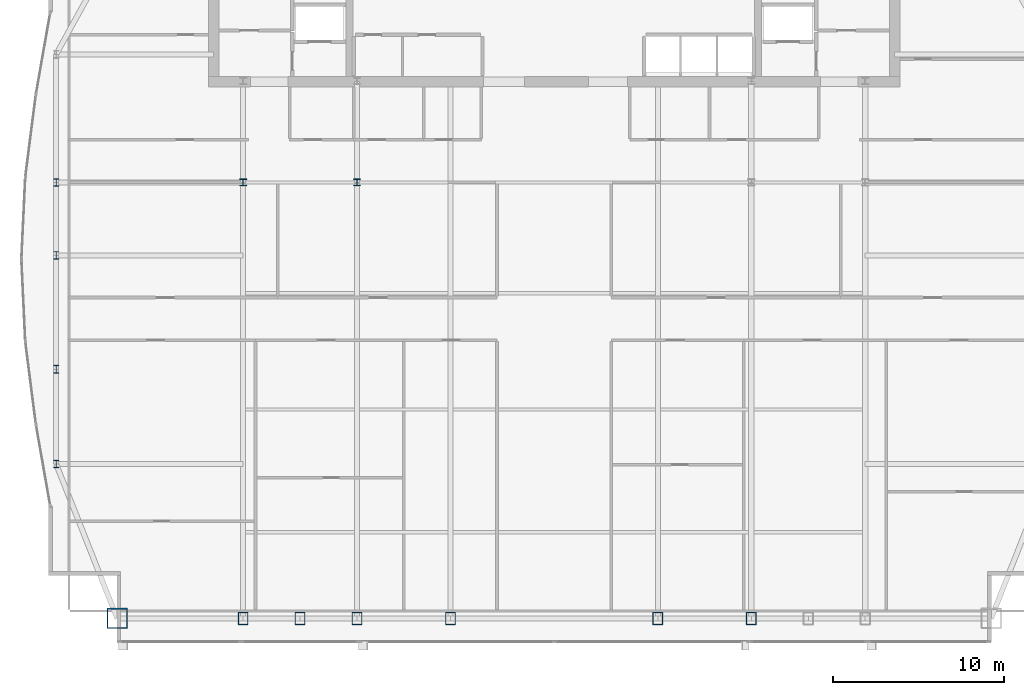
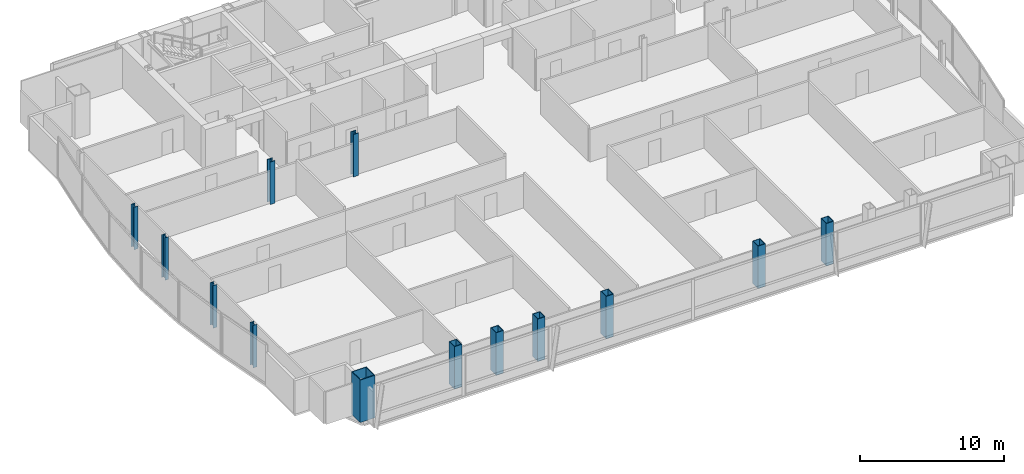
# One storey, part 1 of 30: 13 columns.
"""IFC4 building model written with IfcOpenShell, lengths in metres."""

from ifc_helpers import new_model, si_unit, direction, frame, origin, origin_2d, place, context, subcontext, project, spatial, hollow_rectangle, i_section, extrude, material, material_profile, profile_set, type_object, element, save


model = new_model("IFC4")

# Units and contexts
model_context = context("Model", 3, precision=1e-05, world=origin(), true_north=direction((0.0, 1.0)))
body_context = subcontext(model_context, "Body", "Model", "MODEL_VIEW")
ifc_project = project(units=[si_unit("LENGTHUNIT", "METRE"), si_unit("AREAUNIT", "SQUARE_METRE"), si_unit("VOLUMEUNIT", "CUBIC_METRE"), si_unit("PLANEANGLEUNIT", "RADIAN"), si_unit("MASSUNIT", "GRAM", prefix="KILO")], contexts=[model_context])

# Site, building, storey
site_placement = place(None, origin())
site = spatial("IfcSite", under=ifc_project, at=site_placement, CompositionType="ELEMENT")
building_placement = place(site_placement, origin())
building = spatial("IfcBuilding", under=site, at=building_placement, Name="Khoronbel Lancet Exchange", CompositionType="ELEMENT")
storey_placement = place(building_placement, frame((0.0, 0.0, 203.0)))
storey = spatial("IfcBuildingStorey", under=building, at=storey_placement, Name="L51", CompositionType="ELEMENT", Elevation=203.0)

# Columns
ifc_material_1 = material(Name="Steel S460", Category="steel")
ifc_material_profile_1 = material_profile(ifc_material_1, hollow_rectangle(XDim=0.60009765625, YDim=0.75, WallThickness=0.044921875, at=origin_2d()), Name="BOX 750x600x45")
ifc_profile_set_1 = profile_set([ifc_material_profile_1], Name="Steel S460")
column_type_1 = type_object("IfcColumnType", Name="COL-EC3", PredefinedType="COLUMN", material=ifc_profile_set_1)
for number, where, z_axis, x_axis, name in (
    (1, (18.22509765625, 10.14990234375, 0.0), (0.0, 0.0, 1.0), (1.0, 0.0, 0.0), "Structural column SC-W1 L51"),
    (2, (21.5625, 10.14990234375, 0.0), (0.0, 0.0, 1.0), (1.0, 0.0, 0.0), "Structural column SC-WM L51"),
    (3, (24.89990234375, 10.14990234375, 0.0), (0.0, 0.0, 1.0), (1.0, 0.0, 0.0), "Structural column SC-W2 L51"),
    (4, (30.375, 10.14990234375, 0.0), (0.0, 0.0, 1.0), (1.0, 0.0, 0.0), "Structural column SC-C1 L51"),
    (5, (42.52490234375, 10.14990234375, 0.0), (0.0, 0.0, 1.0), (1.0, 0.0, 0.0), "Structural column SC-C2 L51"),
    (6, (48.0, 10.14990234375, 0.0), (0.0, 0.0, 1.0), (1.0, 0.0, 0.0), "Structural column SC-E1 L51"),
):
    element("IfcColumn", number, at=place(storey_placement, frame(where, z_axis=z_axis, x_axis=x_axis)), inside=storey, type_object=column_type_1, Name=name, PredefinedType="COLUMN", context=body_context, shape_type="SweptSolid", body=[
        extrude(hollow_rectangle(XDim=0.60009765625, YDim=0.75, WallThickness=0.044921875, at=origin_2d()), origin(), (0.0, 0.0, 1.0), 3.60009765625),
    ])
ifc_material_2 = material(Name="Steel S355", Category="steel")
ifc_material_profile_2 = material_profile(ifc_material_2, i_section(OverallWidth=0.406005859375, OverallDepth=0.416015625, WebThickness=0.02978515625, FlangeThickness=0.048095703125, at=origin_2d()), Name="HD 400x382")
ifc_profile_set_2 = profile_set([ifc_material_profile_2], Name="Steel S355")
column_type_2 = type_object("IfcColumnType", Name="COL-IC3", PredefinedType="COLUMN", material=ifc_profile_set_2)
for number, where, z_axis, x_axis, name in (
    (7, (18.22509765625, 35.699951171875, 0.0), (0.0, 0.0, 1.0), (1.0, 0.0, 0.0), "Spine gravity column TC1 L51"),
    (8, (24.89990234375, 35.699951171875, 0.0), (0.0, 0.0, 1.0), (1.0, 0.0, 0.0), "Spine gravity column TC2 L51"),
):
    element("IfcColumn", number, at=place(storey_placement, frame(where, z_axis=z_axis, x_axis=x_axis)), inside=storey, type_object=column_type_2, Name=name, PredefinedType="COLUMN", context=body_context, shape_type="SweptSolid", body=[
        extrude(i_section(OverallWidth=0.406005859375, OverallDepth=0.416015625, WebThickness=0.02978515625, FlangeThickness=0.048095703125, at=origin_2d()), origin(), (0.0, 0.0, 1.0), 3.60009765625),
    ])
ifc_material_profile_3 = material_profile(ifc_material_2, i_section(OverallWidth=0.300048828125, OverallDepth=0.449951171875, WebThickness=0.013916015625, FlangeThickness=0.02587890625, at=origin_2d()), Name="HEB 450")
ifc_profile_set_3 = profile_set([ifc_material_profile_3], Name="Steel S355")
column_type_3 = type_object("IfcColumnType", Name="COL-LC2", PredefinedType="COLUMN", material=ifc_profile_set_3)
for number, where, z_axis, x_axis, name in (
    (9, (7.27001953125, 19.199951171875, 0.0), (0.0, 0.0, 1.0), (1.0, 0.0, 0.0), "Structural column WC-1 L51"),
    (10, (7.27001953125, 24.75, 0.0), (0.0, 0.0, 1.0), (1.0, 0.0, 0.0), "Structural column WC-2 L51"),
    (11, (7.27001953125, 31.425048828125, 0.0), (0.0, 0.0, 1.0), (1.0, 0.0, 0.0), "Structural column WC-M L51"),
    (12, (7.27001953125, 35.699951171875, 0.0), (0.0, 0.0, 1.0), (1.0, 0.0, 0.0), "Structural column WC-3 L51"),
):
    element("IfcColumn", number, at=place(storey_placement, frame(where, z_axis=z_axis, x_axis=x_axis)), inside=storey, type_object=column_type_3, Name=name, PredefinedType="COLUMN", context=body_context, shape_type="SweptSolid", body=[
        extrude(i_section(OverallWidth=0.300048828125, OverallDepth=0.449951171875, WebThickness=0.013916015625, FlangeThickness=0.02587890625, at=origin_2d()), origin(), (0.0, 0.0, 1.0), 3.60009765625),
    ])
ifc_material_profile_4 = material_profile(ifc_material_1, hollow_rectangle(XDim=1.199951171875, YDim=1.199951171875, WallThickness=0.06005859375, at=origin_2d()), Name="BOX 1200x1200x60")
ifc_profile_set_4 = profile_set([ifc_material_profile_4], Name="Steel S460")
column_type_4 = type_object("IfcColumnType", Name="COL-MC5", PredefinedType="COLUMN", material=ifc_profile_set_4)
column_placement = place(storey_placement, frame((10.85009765625, 10.14990234375, 0.0), z_axis=(0.0, 0.0, 1.0), x_axis=(1.0, 0.0, 0.0)))
element("IfcColumn", 13, at=column_placement, inside=storey, type_object=column_type_4, Name="Structural column MC-SW L51", PredefinedType="COLUMN", context=body_context, shape_type="SweptSolid", body=[
    extrude(hollow_rectangle(XDim=1.199951171875, YDim=1.199951171875, WallThickness=0.06005859375, at=origin_2d()), origin(), (0.0, 0.0, 1.0), 3.60009765625),
])

save(model, "model.ifc")
